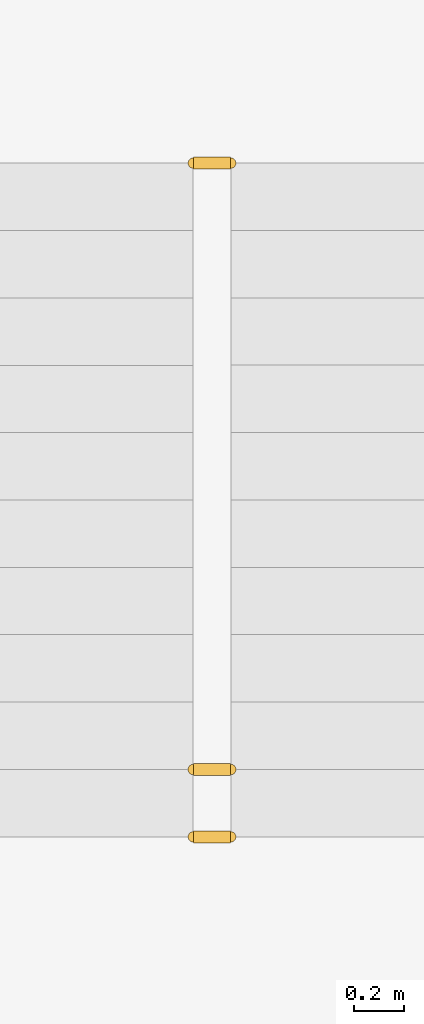
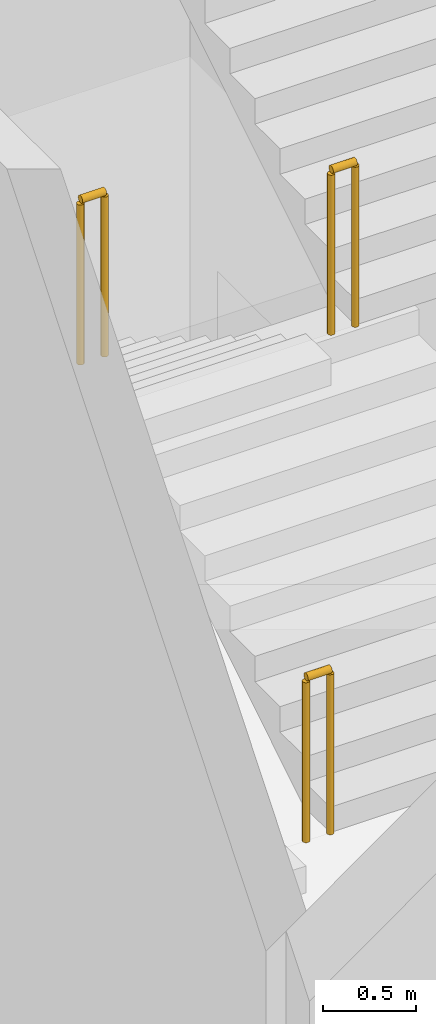
# One storey, part 29 of 30: 3 railings.
"""IFC4 building model written with IfcOpenShell, lengths in metres."""

from ifc_helpers import new_model, si_unit, direction, frame, origin, origin_2d, place, context, subcontext, project, spatial, circle, extrude, material, type_object, element, save


model = new_model("IFC4")

# Units and contexts
model_context = context("Model", 3, precision=1e-05, world=origin(), true_north=direction((0.0, 1.0)))
body_context = subcontext(model_context, "Body", "Model", "MODEL_VIEW")
ifc_project = project(units=[si_unit("LENGTHUNIT", "METRE"), si_unit("AREAUNIT", "SQUARE_METRE"), si_unit("VOLUMEUNIT", "CUBIC_METRE"), si_unit("PLANEANGLEUNIT", "RADIAN"), si_unit("MASSUNIT", "GRAM", prefix="KILO")], contexts=[model_context])

# Site, building, storey
site_placement = place(None, origin())
site = spatial("IfcSite", under=ifc_project, at=site_placement, CompositionType="ELEMENT")
building_placement = place(site_placement, origin())
building = spatial("IfcBuilding", under=site, at=building_placement, Name="Isbrekke Arena Tower", CompositionType="ELEMENT")
storey_placement = place(building_placement, frame((0.0, 0.0, -7.0)))
storey = spatial("IfcBuildingStorey", under=building, at=storey_placement, Name="B1", CompositionType="ELEMENT", Elevation=-7.0)

# Railings
ifc_material = material(Name="Steel stair guard, vertical bars, steel handrail", Category="steel")
railing_type = type_object("IfcRailingType", Name="GR3 STAIR WELL GUARD 1100", PredefinedType="GUARDRAIL", material=ifc_material)
for number, where, name in (
    (1, (45.925048828125, 33.2451171875, 1.666748046875), "GR3 stair well guard P1 B1"),
    (2, (45.925048828125, 35.675048828125, 3.333251953125), "GR3 stair well guard P1 B1"),
    (3, (45.925048828125, 32.97509765625, 5.166748046875), "GR3 stair well guard P1 B1"),
):
    element("IfcRailing", number, at=place(storey_placement, frame(where)), inside=storey, type_object=railing_type, Name=name, PredefinedType="GUARDRAIL", context=body_context, shape_type="SweptSolid", body=[
        extrude(circle(Radius=0.02392578125, at=origin_2d()), frame((0.0, 0.0, 1.076171875), z_axis=(1.0, 0.0, 0.0), x_axis=(0.0, 1.0, 0.0)), (0.0, 0.0, 1.0), 0.14990234375),
        extrude(circle(Radius=0.02099609375, at=origin_2d()), origin(), (0.0, 0.0, 1.0), 1.052001953125),
        extrude(circle(Radius=0.02099609375, at=origin_2d()), frame((0.14990234375, 0.0, 0.0)), (0.0, 0.0, 1.0), 1.052001953125),
    ])

save(model, "model.ifc")
